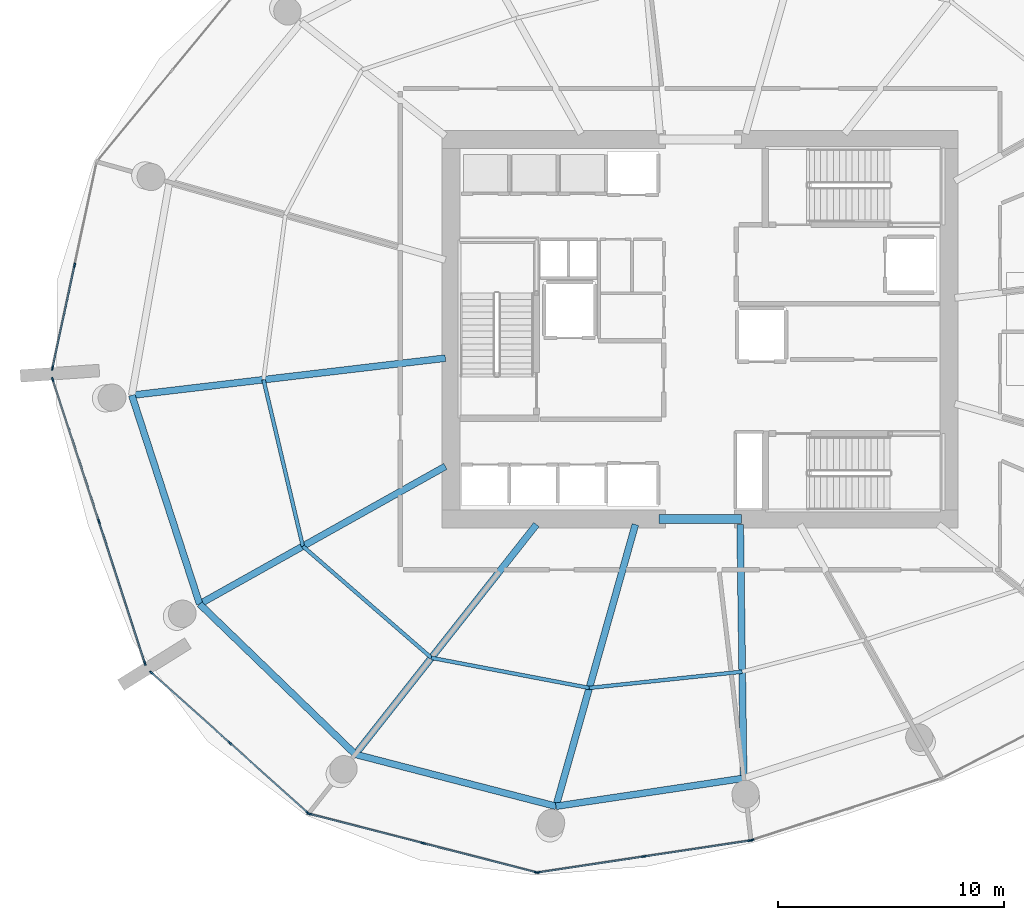
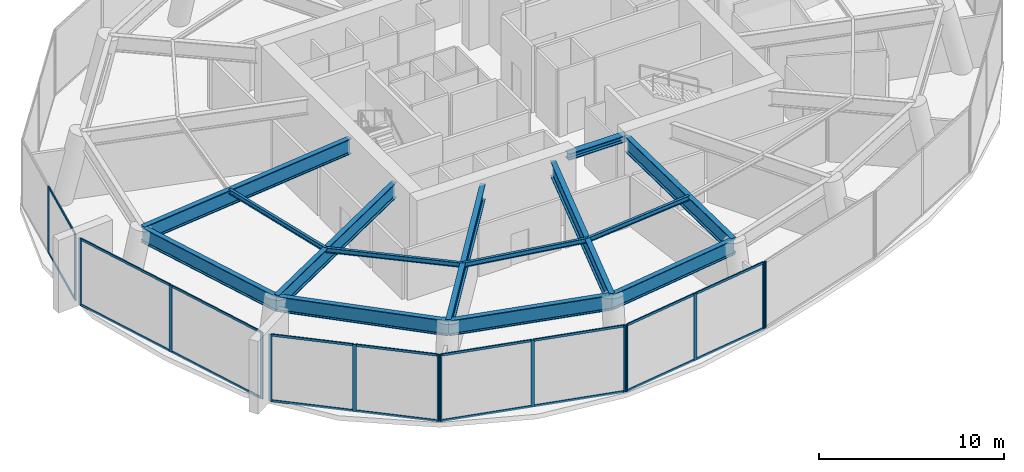
# One storey, part 5 of 16: 33 members, 14 beams, 6 elements without a shape of their own.
"""IFC4 building model written with IfcOpenShell, lengths in metres."""

from ifc_helpers import new_model, si_unit, direction, frame, origin, origin_2d, place, context, subcontext, project, spatial, rectangle, i_section, extrude, material, layer, layer_set, material_profile, profile_set, type_object, element, aggregate, save


model = new_model("IFC4")

# Units and contexts
model_context = context("Model", 3, precision=1e-05, world=origin(), true_north=direction((0.0, 1.0)))
body_context = subcontext(model_context, "Body", "Model", "MODEL_VIEW")
ifc_project = project(units=[si_unit("LENGTHUNIT", "METRE"), si_unit("AREAUNIT", "SQUARE_METRE"), si_unit("VOLUMEUNIT", "CUBIC_METRE"), si_unit("PLANEANGLEUNIT", "RADIAN"), si_unit("MASSUNIT", "GRAM", prefix="KILO")], contexts=[model_context])

# Site, building, storey
site_placement = place(None, origin())
site = spatial("IfcSite", under=ifc_project, at=site_placement, CompositionType="ELEMENT")
building_placement = place(site_placement, origin())
building = spatial("IfcBuilding", under=site, at=building_placement, Name="Kazma Halo Residences", CompositionType="ELEMENT")
storey_placement = place(building_placement, frame((0.0, 0.0, 123.0)))
storey = spatial("IfcBuildingStorey", under=building, at=storey_placement, Name="L30", CompositionType="ELEMENT", Elevation=123.0)

# Beams
ifc_material_1 = material(Name="Steel S355", Category="steel")
ifc_material_profile_1 = material_profile(ifc_material_1, i_section(OverallWidth=0.408935546875, OverallDepth=0.425048828125, WebThickness=0.03271484375, FlangeThickness=0.052490234375, FilletRadius=0.02001953125, at=origin_2d()), Name="W360x421")
ifc_profile_set_1 = profile_set([ifc_material_profile_1], Name="Steel S355")
beam_type_1 = type_object("IfcBeamType", Name="BM-CORE-W360H", PredefinedType="BEAM", material=ifc_profile_set_1)
beam_1_placement = place(storey_placement, frame((46.60009765625, 33.60009765625, 4.1875), z_axis=(1.0, 0.0, 0.0), x_axis=(0.0, 1.0, 0.0)))
element("IfcBeam", 1, at=beam_1_placement, inside=storey, type_object=beam_type_1, Name="L30 core coupling beam S", PredefinedType="BEAM", context=body_context, shape_type="SweptSolid", body=[
    extrude(i_section(OverallWidth=0.408935546875, OverallDepth=0.425048828125, WebThickness=0.03271484375, FlangeThickness=0.052490234375, FilletRadius=0.02001953125, at=origin_2d()), origin(), (0.0, 0.0, 1.0), 3.64990234375),
])
ifc_material_profile_2 = material_profile(ifc_material_1, i_section(OverallWidth=0.1650390625, OverallDepth=0.31005859375, WebThickness=0.005859375, FlangeThickness=0.009765625, FilletRadius=0.011962890625, at=origin_2d()), Name="W310x38.7")
ifc_profile_set_2 = profile_set([ifc_material_profile_2], Name="Steel S355")
beam_type_2 = type_object("IfcBeamType", Name="BM-SEC-W310B", PredefinedType="JOIST", material=ifc_profile_set_2)
beam_2_placement = place(storey_placement, frame((29.09765625, 39.7626953125, 4.2451171875), z_axis=(0.229897820601, -0.973214771817, 0.0), x_axis=(0.973214771817, 0.229897820601, 0.0)))
element("IfcBeam", 2, at=beam_2_placement, inside=storey, type_object=beam_type_2, Name="L30 circumferential floor joist 08", PredefinedType="JOIST", context=body_context, shape_type="SweptSolid", body=[
    extrude(i_section(OverallWidth=0.1650390625, OverallDepth=0.31005859375, WebThickness=0.005859375, FlangeThickness=0.009765625, FilletRadius=0.011962890625, at=origin_2d()), origin(), (0.0, 0.0, 1.0), 7.575927734375),
])
beam_3_placement = place(storey_placement, frame((30.83935546875, 32.3896484375, 4.2451171875), z_axis=(0.755074060983, -0.65563950646, 0.0), x_axis=(0.65563950646, 0.755074060983, 0.0)))
element("IfcBeam", 3, at=beam_3_placement, inside=storey, type_object=beam_type_2, Name="L30 circumferential floor joist 09", PredefinedType="JOIST", context=body_context, shape_type="SweptSolid", body=[
    extrude(i_section(OverallWidth=0.1650390625, OverallDepth=0.31005859375, WebThickness=0.005859375, FlangeThickness=0.009765625, FilletRadius=0.011962890625, at=origin_2d()), origin(), (0.0, 0.0, 1.0), 7.535400390625),
])
beam_4_placement = place(storey_placement, frame((36.529052734375, 27.44921875, 4.2451171875), z_axis=(0.982303720869, -0.187294954461, 0.0), x_axis=(0.187294954461, 0.982303720869, 0.0)))
element("IfcBeam", 4, at=beam_4_placement, inside=storey, type_object=beam_type_2, Name="L30 circumferential floor joist 10", PredefinedType="JOIST", context=body_context, shape_type="SweptSolid", body=[
    extrude(i_section(OverallWidth=0.1650390625, OverallDepth=0.31005859375, WebThickness=0.005859375, FlangeThickness=0.009765625, FilletRadius=0.011962890625, at=origin_2d()), origin(), (0.0, 0.0, 1.0), 7.1171875),
])
beam_5_placement = place(storey_placement, frame((43.520263671875, 26.1162109375, 4.2451171875), z_axis=(0.994394049715, 0.105737760011, 0.0), x_axis=(-0.105737760011, 0.994394049715, 0.0)))
element("IfcBeam", 5, at=beam_5_placement, inside=storey, type_object=beam_type_2, Name="L30 circumferential floor joist 11", PredefinedType="JOIST", context=body_context, shape_type="SweptSolid", body=[
    extrude(i_section(OverallWidth=0.1650390625, OverallDepth=0.31005859375, WebThickness=0.005859375, FlangeThickness=0.009765625, FilletRadius=0.011962890625, at=origin_2d()), origin(), (0.0, 0.0, 1.0), 6.806640625),
])
ifc_material_profile_3 = material_profile(ifc_material_1, i_section(OverallWidth=0.302001953125, OverallDepth=1.01806640625, WebThickness=0.021484375, FlangeThickness=0.049072265625, FilletRadius=0.028076171875, at=origin_2d()), Name="W1000x443")
ifc_profile_set_3 = profile_set([ifc_material_profile_3], Name="Steel S355")
beam_type_3 = type_object("IfcBeamType", Name="BM-TRANS-W1000A", PredefinedType="BEAM", material=ifc_profile_set_3)
beam_6_placement = place(storey_placement, frame((37.14990234375, 40.7158203125, 3.89111328125), z_axis=(-0.993067267044, -0.117547450531, 0.0), x_axis=(0.117547450531, -0.993067267044, 0.0)))
element("IfcBeam", 6, at=beam_6_placement, inside=storey, type_object=beam_type_3, Name="L30 podium radial transfer girder 08", PredefinedType="BEAM", context=body_context, shape_type="SweptSolid", body=[
    extrude(i_section(OverallWidth=0.302001953125, OverallDepth=1.01806640625, WebThickness=0.021484375, FlangeThickness=0.049072265625, FilletRadius=0.028076171875, at=origin_2d()), origin(), (0.0, 0.0, 1.0), 13.97998046875),
])
beam_7_placement = place(storey_placement, frame((37.14990234375, 35.923583984375, 3.89111328125), z_axis=(-0.87250100809, -0.488612311431, 0.0), x_axis=(0.488612311431, -0.87250100809, 0.0)))
element("IfcBeam", 7, at=beam_7_placement, inside=storey, type_object=beam_type_3, Name="L30 podium radial transfer girder 09", PredefinedType="BEAM", context=body_context, shape_type="SweptSolid", body=[
    extrude(i_section(OverallWidth=0.302001953125, OverallDepth=1.01806640625, WebThickness=0.021484375, FlangeThickness=0.049072265625, FilletRadius=0.028076171875, at=origin_2d()), origin(), (0.0, 0.0, 1.0), 12.469970703125),
])
beam_8_placement = place(storey_placement, frame((41.180908203125, 33.35009765625, 3.89111328125), z_axis=(-0.619099110691, -0.785312861948, 0.0), x_axis=(0.785312861948, -0.619099110691, 0.0)))
element("IfcBeam", 8, at=beam_8_placement, inside=storey, type_object=beam_type_3, Name="L30 podium radial transfer girder 10", PredefinedType="BEAM", context=body_context, shape_type="SweptSolid", body=[
    extrude(i_section(OverallWidth=0.302001953125, OverallDepth=1.01806640625, WebThickness=0.021484375, FlangeThickness=0.049072265625, FilletRadius=0.028076171875, at=origin_2d()), origin(), (0.0, 0.0, 1.0), 12.955078125),
])
beam_9_placement = place(storey_placement, frame((45.560302734375, 33.35009765625, 3.89111328125), z_axis=(-0.271432420766, -0.962457500858, 0.0), x_axis=(0.962457500858, -0.271432420766, 0.0)))
element("IfcBeam", 9, at=beam_9_placement, inside=storey, type_object=beam_type_3, Name="L30 podium radial transfer girder 11", PredefinedType="BEAM", context=body_context, shape_type="SweptSolid", body=[
    extrude(i_section(OverallWidth=0.302001953125, OverallDepth=1.01806640625, WebThickness=0.021484375, FlangeThickness=0.049072265625, FilletRadius=0.028076171875, at=origin_2d()), origin(), (0.0, 0.0, 1.0), 12.95849609375),
])
beam_10_placement = place(storey_placement, frame((50.199951171875, 33.35009765625, 3.89111328125), z_axis=(0.013628280132, -0.999907130678, 0.0), x_axis=(0.999907130678, 0.013628280132, 0.0)))
element("IfcBeam", 10, at=beam_10_placement, inside=storey, type_object=beam_type_3, Name="L30 podium radial transfer girder 12", PredefinedType="BEAM", context=body_context, shape_type="SweptSolid", body=[
    extrude(i_section(OverallWidth=0.302001953125, OverallDepth=1.01806640625, WebThickness=0.021484375, FlangeThickness=0.049072265625, FilletRadius=0.028076171875, at=origin_2d()), origin(), (0.0, 0.0, 1.0), 11.232177734375),
])
ifc_material_profile_4 = material_profile(ifc_material_1, i_section(OverallWidth=0.300048828125, OverallDepth=1.0, WebThickness=0.01904296875, FlangeThickness=0.0400390625, FilletRadius=0.02587890625, at=origin_2d()), Name="W1000x371")
ifc_profile_set_4 = profile_set([ifc_material_profile_4], Name="Steel S355")
beam_type_4 = type_object("IfcBeamType", Name="BM-TRANS-W1000B", PredefinedType="BEAM", material=ifc_profile_set_4)
beam_11_placement = place(storey_placement, frame((23.266845703125, 39.072509765625, 3.89990234375), z_axis=(0.309020741629, -0.95105529873, 0.0), x_axis=(0.95105529873, 0.309020741629, 0.0)))
element("IfcBeam", 11, at=beam_11_placement, inside=storey, type_object=beam_type_4, Name="L30 perimeter ring beam 08", PredefinedType="BEAM", context=body_context, shape_type="SweptSolid", body=[
    extrude(i_section(OverallWidth=0.300048828125, OverallDepth=1.0, WebThickness=0.01904296875, FlangeThickness=0.0400390625, FilletRadius=0.02587890625, at=origin_2d()), origin(), (0.0, 0.0, 1.0), 9.717529296875),
])
beam_12_placement = place(storey_placement, frame((26.269775390625, 29.83056640625, 3.89990234375), z_axis=(0.719334705845, -0.694663645923, 0.0), x_axis=(0.694663645923, 0.719334705845, 0.0)))
element("IfcBeam", 12, at=beam_12_placement, inside=storey, type_object=beam_type_4, Name="L30 perimeter ring beam 09", PredefinedType="BEAM", context=body_context, shape_type="SweptSolid", body=[
    extrude(i_section(OverallWidth=0.300048828125, OverallDepth=1.0, WebThickness=0.01904296875, FlangeThickness=0.0400390625, FilletRadius=0.02587890625, at=origin_2d()), origin(), (0.0, 0.0, 1.0), 9.5791015625),
])
beam_13_placement = place(storey_placement, frame((33.160400390625, 23.17626953125, 3.89990234375), z_axis=(0.968123664213, -0.250472694699, 0.0), x_axis=(0.250472694699, 0.968123664213, 0.0)))
element("IfcBeam", 13, at=beam_13_placement, inside=storey, type_object=beam_type_4, Name="L30 perimeter ring beam 10", PredefinedType="BEAM", context=body_context, shape_type="SweptSolid", body=[
    extrude(i_section(OverallWidth=0.300048828125, OverallDepth=1.0, WebThickness=0.01904296875, FlangeThickness=0.0400390625, FilletRadius=0.02587890625, at=origin_2d()), origin(), (0.0, 0.0, 1.0), 9.175048828125),
])
beam_14_placement = place(storey_placement, frame((42.04296875, 20.878173828125, 3.89990234375), z_axis=(0.989037147603, 0.147666924735, 0.0), x_axis=(-0.147666924735, 0.989037147603, 0.0)))
element("IfcBeam", 14, at=beam_14_placement, inside=storey, type_object=beam_type_4, Name="L30 perimeter ring beam 11", PredefinedType="BEAM", context=body_context, shape_type="SweptSolid", body=[
    extrude(i_section(OverallWidth=0.300048828125, OverallDepth=1.0, WebThickness=0.01904296875, FlangeThickness=0.0400390625, FilletRadius=0.02587890625, at=origin_2d()), origin(), (0.0, 0.0, 1.0), 8.402099609375),
])

# Curtain wall, members
ifc_material_2 = material(Name="Aluminium AW-6063 T6 and Triple-Silver Low-E Glass", Category="aluminium")
ifc_layer = layer(ifc_material_2, 0.199951171875)
ifc_layer_set = layer_set([ifc_layer], Name="Aluminium AW-6063 T6 and Triple-Silver Low-E Glass")
curtain_wall_type = type_object("IfcCurtainWallType", Name="CW-SYS-3", PredefinedType="NOTDEFINED", material=ifc_layer_set)
curtain_wall_1_placement = place(storey_placement, origin())
curtain_wall_1 = element("IfcCurtainWall", 15, at=curtain_wall_1_placement, inside=storey, type_object=curtain_wall_type, Name="L30 unitised curtain wall B07", PredefinedType="NOTDEFINED")
ifc_material_3 = material(Name="Aluminium AW-6063 T6", Category="aluminium")
ifc_material_profile_5 = material_profile(ifc_material_3, rectangle(XDim=0.070068359375, YDim=0.199951171875, at=origin_2d()), Name="CWM-70x200")
ifc_profile_set_5 = profile_set([ifc_material_profile_5], Name="Aluminium AW-6063 T6")
member_type_1 = type_object("IfcMemberType", Name="CW-SYS-3-MUL", PredefinedType="MULLION", material=ifc_profile_set_5)
member_1_placement = place(storey_placement, frame((20.7333984375, 44.830078125, 0.0), z_axis=(0.0, 0.0, 1.0), x_axis=(0.977769929816, -0.209680624634, 0.0)))
member_1 = element("IfcMember", 16, at=member_1_placement, type_object=member_type_1, Name="CWS-3 mullion 2", PredefinedType="MULLION", context=body_context, shape_type="SweptSolid", body=[
    extrude(rectangle(XDim=0.070068359375, YDim=0.199951171875, at=origin_2d()), origin(), (0.0, 0.0, 1.0), 4.39990234375),
])
member_2_placement = place(storey_placement, frame((19.758056640625, 40.28173828125, 0.0), z_axis=(0.0, 0.0, 1.0), x_axis=(0.977769929816, -0.209680624634, 0.0)))
member_2 = element("IfcMember", 17, at=member_2_placement, type_object=member_type_1, Name="CWS-3 mullion 3", PredefinedType="MULLION", context=body_context, shape_type="SweptSolid", body=[
    extrude(rectangle(XDim=0.070068359375, YDim=0.199951171875, at=origin_2d()), origin(), (0.0, 0.0, 1.0), 4.39990234375),
])

curtain_wall_2_placement = place(storey_placement, origin())
curtain_wall_2 = element("IfcCurtainWall", 18, at=curtain_wall_2_placement, inside=storey, type_object=curtain_wall_type, Name="L30 unitised curtain wall B08", PredefinedType="NOTDEFINED")
member_3_placement = place(storey_placement, frame((19.768798828125, 39.768798828125, 0.0), z_axis=(0.0, 0.0, 1.0), x_axis=(0.951056155872, 0.309018103641, 0.0)))
member_3 = element("IfcMember", 19, at=member_3_placement, type_object=member_type_1, Name="CWS-3 mullion 1", PredefinedType="MULLION", context=body_context, shape_type="SweptSolid", body=[
    extrude(rectangle(XDim=0.070068359375, YDim=0.199951171875, at=origin_2d()), origin(), (0.0, 0.0, 1.0), 4.39990234375),
])
member_4_placement = place(storey_placement, frame((21.808837890625, 33.489990234375, 0.0), z_axis=(0.0, 0.0, 1.0), x_axis=(0.951056155872, 0.309018103641, 0.0)))
member_4 = element("IfcMember", 20, at=member_4_placement, type_object=member_type_1, Name="CWS-3 mullion 2", PredefinedType="MULLION", context=body_context, shape_type="SweptSolid", body=[
    extrude(rectangle(XDim=0.070068359375, YDim=0.199951171875, at=origin_2d()), origin(), (0.0, 0.0, 1.0), 4.39990234375),
])
member_5_placement = place(storey_placement, frame((23.848876953125, 27.211181640625, 0.0), z_axis=(0.0, 0.0, 1.0), x_axis=(0.951056155872, 0.309018103641, 0.0)))
member_5 = element("IfcMember", 21, at=member_5_placement, type_object=member_type_1, Name="CWS-3 mullion 3", PredefinedType="MULLION", context=body_context, shape_type="SweptSolid", body=[
    extrude(rectangle(XDim=0.070068359375, YDim=0.199951171875, at=origin_2d()), origin(), (0.0, 0.0, 1.0), 4.39990234375),
])

curtain_wall_3_placement = place(storey_placement, origin())
curtain_wall_3 = element("IfcCurtainWall", 22, at=curtain_wall_3_placement, inside=storey, type_object=curtain_wall_type, Name="L30 unitised curtain wall B09", PredefinedType="NOTDEFINED")
member_6_placement = place(storey_placement, frame((24.1416015625, 26.789794921875, 0.0), z_axis=(0.0, 0.0, 1.0), x_axis=(0.667781551283, 0.744357306517, 0.0)))
member_6 = element("IfcMember", 23, at=member_6_placement, type_object=member_type_1, Name="CWS-3 mullion 1", PredefinedType="MULLION", context=body_context, shape_type="SweptSolid", body=[
    extrude(rectangle(XDim=0.070068359375, YDim=0.199951171875, at=origin_2d()), origin(), (0.0, 0.0, 1.0), 4.39990234375),
])
member_7_placement = place(storey_placement, frame((27.604248046875, 23.683349609375, 0.0), z_axis=(0.0, 0.0, 1.0), x_axis=(0.667781551283, 0.744357306517, 0.0)))
member_7 = element("IfcMember", 24, at=member_7_placement, type_object=member_type_1, Name="CWS-3 mullion 2", PredefinedType="MULLION", context=body_context, shape_type="SweptSolid", body=[
    extrude(rectangle(XDim=0.070068359375, YDim=0.199951171875, at=origin_2d()), origin(), (0.0, 0.0, 1.0), 4.39990234375),
])
member_8_placement = place(storey_placement, frame((31.06689453125, 20.576904296875, 0.0), z_axis=(0.0, 0.0, 1.0), x_axis=(0.667781551283, 0.744357306517, 0.0)))
member_8 = element("IfcMember", 25, at=member_8_placement, type_object=member_type_1, Name="CWS-3 mullion 3", PredefinedType="MULLION", context=body_context, shape_type="SweptSolid", body=[
    extrude(rectangle(XDim=0.070068359375, YDim=0.199951171875, at=origin_2d()), origin(), (0.0, 0.0, 1.0), 4.39990234375),
])

curtain_wall_4_placement = place(storey_placement, origin())
curtain_wall_4 = element("IfcCurtainWall", 26, at=curtain_wall_4_placement, inside=storey, type_object=curtain_wall_type, Name="L30 unitised curtain wall B10", PredefinedType="NOTDEFINED")
member_9_placement = place(storey_placement, frame((31.126953125, 20.544921875, 0.0), z_axis=(0.0, 0.0, 1.0), x_axis=(0.249525032584, 0.968368348364, 0.0)))
member_9 = element("IfcMember", 27, at=member_9_placement, type_object=member_type_1, Name="CWS-3 mullion 1", PredefinedType="MULLION", context=body_context, shape_type="SweptSolid", body=[
    extrude(rectangle(XDim=0.070068359375, YDim=0.199951171875, at=origin_2d()), origin(), (0.0, 0.0, 1.0), 4.39990234375),
])
member_10_placement = place(storey_placement, frame((36.154296875, 19.24951171875, 0.0), z_axis=(0.0, 0.0, 1.0), x_axis=(0.249525032584, 0.968368348364, 0.0)))
member_10 = element("IfcMember", 28, at=member_10_placement, type_object=member_type_1, Name="CWS-3 mullion 2", PredefinedType="MULLION", context=body_context, shape_type="SweptSolid", body=[
    extrude(rectangle(XDim=0.070068359375, YDim=0.199951171875, at=origin_2d()), origin(), (0.0, 0.0, 1.0), 4.39990234375),
])
member_11_placement = place(storey_placement, frame((41.181884765625, 17.953857421875, 0.0), z_axis=(0.0, 0.0, 1.0), x_axis=(0.249525032584, 0.968368348364, 0.0)))
member_11 = element("IfcMember", 29, at=member_11_placement, type_object=member_type_1, Name="CWS-3 mullion 3", PredefinedType="MULLION", context=body_context, shape_type="SweptSolid", body=[
    extrude(rectangle(XDim=0.070068359375, YDim=0.199951171875, at=origin_2d()), origin(), (0.0, 0.0, 1.0), 4.39990234375),
])

curtain_wall_5_placement = place(storey_placement, origin())
curtain_wall_5 = element("IfcCurtainWall", 30, at=curtain_wall_5_placement, inside=storey, type_object=curtain_wall_type, Name="L30 unitised curtain wall B11", PredefinedType="NOTDEFINED")
member_12_placement = place(storey_placement, frame((41.25048828125, 17.950439453125, 0.0), z_axis=(0.0, 0.0, 1.0), x_axis=(-0.148767641273, 0.988872180269, 0.0)))
member_12 = element("IfcMember", 31, at=member_12_placement, type_object=member_type_1, Name="CWS-3 mullion 1", PredefinedType="MULLION", context=body_context, shape_type="SweptSolid", body=[
    extrude(rectangle(XDim=0.070068359375, YDim=0.199951171875, at=origin_2d()), origin(), (0.0, 0.0, 1.0), 4.39990234375),
])
member_13_placement = place(storey_placement, frame((45.947265625, 18.656982421875, 0.0), z_axis=(0.0, 0.0, 1.0), x_axis=(-0.148767641273, 0.988872180269, 0.0)))
member_13 = element("IfcMember", 32, at=member_13_placement, type_object=member_type_1, Name="CWS-3 mullion 2", PredefinedType="MULLION", context=body_context, shape_type="SweptSolid", body=[
    extrude(rectangle(XDim=0.070068359375, YDim=0.199951171875, at=origin_2d()), origin(), (0.0, 0.0, 1.0), 4.39990234375),
])
member_14_placement = place(storey_placement, frame((50.64404296875, 19.363525390625, 0.0), z_axis=(0.0, 0.0, 1.0), x_axis=(-0.148767641273, 0.988872180269, 0.0)))
member_14 = element("IfcMember", 33, at=member_14_placement, type_object=member_type_1, Name="CWS-3 mullion 3", PredefinedType="MULLION", context=body_context, shape_type="SweptSolid", body=[
    extrude(rectangle(XDim=0.070068359375, YDim=0.199951171875, at=origin_2d()), origin(), (0.0, 0.0, 1.0), 4.39990234375),
])

# Curtain wall, member
curtain_wall_6_placement = place(storey_placement, origin())
curtain_wall_6 = element("IfcCurtainWall", 34, at=curtain_wall_6_placement, inside=storey, type_object=curtain_wall_type, Name="L30 unitised curtain wall B12", PredefinedType="NOTDEFINED")
member_15_placement = place(storey_placement, frame((50.7119140625, 19.379638671875, 0.0), z_axis=(0.0, 0.0, 1.0), x_axis=(-0.309022243742, 0.951054810656, 0.0)))
member_15 = element("IfcMember", 35, at=member_15_placement, type_object=member_type_1, Name="CWS-3 mullion 1", PredefinedType="MULLION", context=body_context, shape_type="SweptSolid", body=[
    extrude(rectangle(XDim=0.070068359375, YDim=0.199951171875, at=origin_2d()), origin(), (0.0, 0.0, 1.0), 4.39990234375),
])
aggregate(curtain_wall_6, [member_15])

# Member
ifc_material_profile_6 = material_profile(ifc_material_3, rectangle(XDim=0.070068359375, YDim=0.14990234375, at=origin_2d()), Name="CWT-70x150")
ifc_profile_set_6 = profile_set([ifc_material_profile_6], Name="Aluminium AW-6063 T6")
member_type_2 = type_object("IfcMemberType", Name="CW-SYS-3-TRN", PredefinedType="USERDEFINED", material=ifc_profile_set_6)
member_16_placement = place(storey_placement, frame((20.72607421875, 44.7958984375, 0.034912109375), z_axis=(-0.209674644163, -0.977771212296, 0.0), x_axis=(0.977771212296, -0.209674644163, 0.0)))
member_16 = element("IfcMember", 36, at=member_16_placement, type_object=member_type_2, Name="CWS-3 transom 2.1", ObjectType="TRANSOM", PredefinedType="USERDEFINED", context=body_context, shape_type="SweptSolid", body=[
    extrude(rectangle(XDim=0.070068359375, YDim=0.14990234375, at=origin_2d()), origin(), (0.0, 0.0, 1.0), 4.581787109375),
])

member_17_placement = place(storey_placement, frame((20.72607421875, 44.7958984375, 4.364990234375), z_axis=(-0.209674644163, -0.977771212296, 0.0), x_axis=(0.977771212296, -0.209674644163, 0.0)))
member_17 = element("IfcMember", 37, at=member_17_placement, type_object=member_type_2, Name="CWS-3 transom 2.2", ObjectType="TRANSOM", PredefinedType="USERDEFINED", context=body_context, shape_type="SweptSolid", body=[
    extrude(rectangle(XDim=0.070068359375, YDim=0.14990234375, at=origin_2d()), origin(), (0.0, 0.0, 1.0), 4.581787109375),
])

aggregate(curtain_wall_1, [member_1, member_2, member_16, member_17])

member_18_placement = place(storey_placement, frame((19.779541015625, 39.735595703125, 0.034912109375), z_axis=(0.309020152218, -0.951055490244, 0.0), x_axis=(0.951055490244, 0.309020152218, 0.0)))
member_18 = element("IfcMember", 38, at=member_18_placement, type_object=member_type_2, Name="CWS-3 transom 1.1", ObjectType="TRANSOM", PredefinedType="USERDEFINED", context=body_context, shape_type="SweptSolid", body=[
    extrude(rectangle(XDim=0.070068359375, YDim=0.14990234375, at=origin_2d()), origin(), (0.0, 0.0, 1.0), 6.5322265625),
])

member_19_placement = place(storey_placement, frame((19.779541015625, 39.735595703125, 4.364990234375), z_axis=(0.309020152218, -0.951055490244, 0.0), x_axis=(0.951055490244, 0.309020152218, 0.0)))
member_19 = element("IfcMember", 39, at=member_19_placement, type_object=member_type_2, Name="CWS-3 transom 1.2", ObjectType="TRANSOM", PredefinedType="USERDEFINED", context=body_context, shape_type="SweptSolid", body=[
    extrude(rectangle(XDim=0.070068359375, YDim=0.14990234375, at=origin_2d()), origin(), (0.0, 0.0, 1.0), 6.5322265625),
])

member_20_placement = place(storey_placement, frame((21.819580078125, 33.45654296875, 0.034912109375), z_axis=(0.309031137055, -0.951051920944, 0.0), x_axis=(0.951051920944, 0.309031137055, 0.0)))
member_20 = element("IfcMember", 40, at=member_20_placement, type_object=member_type_2, Name="CWS-3 transom 2.1", ObjectType="TRANSOM", PredefinedType="USERDEFINED", context=body_context, shape_type="SweptSolid", body=[
    extrude(rectangle(XDim=0.070068359375, YDim=0.14990234375, at=origin_2d()), origin(), (0.0, 0.0, 1.0), 6.531982421875),
])

member_21_placement = place(storey_placement, frame((21.819580078125, 33.45654296875, 4.364990234375), z_axis=(0.309031137055, -0.951051920944, 0.0), x_axis=(0.951051920944, 0.309031137055, 0.0)))
member_21 = element("IfcMember", 41, at=member_21_placement, type_object=member_type_2, Name="CWS-3 transom 2.2", ObjectType="TRANSOM", PredefinedType="USERDEFINED", context=body_context, shape_type="SweptSolid", body=[
    extrude(rectangle(XDim=0.070068359375, YDim=0.14990234375, at=origin_2d()), origin(), (0.0, 0.0, 1.0), 6.531982421875),
])

aggregate(curtain_wall_2, [member_3, member_4, member_5, member_18, member_19, member_20, member_21])

member_22_placement = place(storey_placement, frame((24.167724609375, 26.766357421875, 0.034912109375), z_axis=(0.744379456225, -0.667756860803, 0.0), x_axis=(0.667756860803, 0.744379456225, 0.0)))
member_22 = element("IfcMember", 42, at=member_22_placement, type_object=member_type_2, Name="CWS-3 transom 1.1", ObjectType="TRANSOM", PredefinedType="USERDEFINED", context=body_context, shape_type="SweptSolid", body=[
    extrude(rectangle(XDim=0.070068359375, YDim=0.14990234375, at=origin_2d()), origin(), (0.0, 0.0, 1.0), 4.581787109375),
])

member_23_placement = place(storey_placement, frame((24.167724609375, 26.766357421875, 4.364990234375), z_axis=(0.744379456225, -0.667756860803, 0.0), x_axis=(0.667756860803, 0.744379456225, 0.0)))
member_23 = element("IfcMember", 43, at=member_23_placement, type_object=member_type_2, Name="CWS-3 transom 1.2", ObjectType="TRANSOM", PredefinedType="USERDEFINED", context=body_context, shape_type="SweptSolid", body=[
    extrude(rectangle(XDim=0.070068359375, YDim=0.14990234375, at=origin_2d()), origin(), (0.0, 0.0, 1.0), 4.581787109375),
])

member_24_placement = place(storey_placement, frame((27.63037109375, 23.659912109375, 0.034912109375), z_axis=(0.744379456225, -0.667756860803, 0.0), x_axis=(0.667756860803, 0.744379456225, 0.0)))
member_24 = element("IfcMember", 44, at=member_24_placement, type_object=member_type_2, Name="CWS-3 transom 2.1", ObjectType="TRANSOM", PredefinedType="USERDEFINED", context=body_context, shape_type="SweptSolid", body=[
    extrude(rectangle(XDim=0.070068359375, YDim=0.14990234375, at=origin_2d()), origin(), (0.0, 0.0, 1.0), 4.581787109375),
])

member_25_placement = place(storey_placement, frame((27.63037109375, 23.659912109375, 4.364990234375), z_axis=(0.744379456225, -0.667756860803, 0.0), x_axis=(0.667756860803, 0.744379456225, 0.0)))
member_25 = element("IfcMember", 45, at=member_25_placement, type_object=member_type_2, Name="CWS-3 transom 2.2", ObjectType="TRANSOM", PredefinedType="USERDEFINED", context=body_context, shape_type="SweptSolid", body=[
    extrude(rectangle(XDim=0.070068359375, YDim=0.14990234375, at=origin_2d()), origin(), (0.0, 0.0, 1.0), 4.581787109375),
])

aggregate(curtain_wall_3, [member_6, member_7, member_8, member_22, member_23, member_24, member_25])

member_26_placement = place(storey_placement, frame((31.160888671875, 20.5361328125, 0.034912109375), z_axis=(0.96836469356, -0.249539215889, 0.0), x_axis=(0.249539215889, 0.96836469356, 0.0)))
member_26 = element("IfcMember", 46, at=member_26_placement, type_object=member_type_2, Name="CWS-3 transom 1.1", ObjectType="TRANSOM", PredefinedType="USERDEFINED", context=body_context, shape_type="SweptSolid", body=[
    extrude(rectangle(XDim=0.070068359375, YDim=0.14990234375, at=origin_2d()), origin(), (0.0, 0.0, 1.0), 5.121826171875),
])

member_27_placement = place(storey_placement, frame((31.160888671875, 20.5361328125, 4.364990234375), z_axis=(0.96836469356, -0.249539215889, 0.0), x_axis=(0.249539215889, 0.96836469356, 0.0)))
member_27 = element("IfcMember", 47, at=member_27_placement, type_object=member_type_2, Name="CWS-3 transom 1.2", ObjectType="TRANSOM", PredefinedType="USERDEFINED", context=body_context, shape_type="SweptSolid", body=[
    extrude(rectangle(XDim=0.070068359375, YDim=0.14990234375, at=origin_2d()), origin(), (0.0, 0.0, 1.0), 5.121826171875),
])

member_28_placement = place(storey_placement, frame((36.188232421875, 19.24072265625, 0.034912109375), z_axis=(0.96836469356, -0.249539215889, 0.0), x_axis=(0.249539215889, 0.96836469356, 0.0)))
member_28 = element("IfcMember", 48, at=member_28_placement, type_object=member_type_2, Name="CWS-3 transom 2.1", ObjectType="TRANSOM", PredefinedType="USERDEFINED", context=body_context, shape_type="SweptSolid", body=[
    extrude(rectangle(XDim=0.070068359375, YDim=0.14990234375, at=origin_2d()), origin(), (0.0, 0.0, 1.0), 5.121826171875),
])

member_29_placement = place(storey_placement, frame((36.188232421875, 19.24072265625, 4.364990234375), z_axis=(0.96836469356, -0.249539215889, 0.0), x_axis=(0.249539215889, 0.96836469356, 0.0)))
member_29 = element("IfcMember", 49, at=member_29_placement, type_object=member_type_2, Name="CWS-3 transom 2.2", ObjectType="TRANSOM", PredefinedType="USERDEFINED", context=body_context, shape_type="SweptSolid", body=[
    extrude(rectangle(XDim=0.070068359375, YDim=0.14990234375, at=origin_2d()), origin(), (0.0, 0.0, 1.0), 5.121826171875),
])

aggregate(curtain_wall_4, [member_9, member_10, member_11, member_26, member_27, member_28, member_29])

member_30_placement = place(storey_placement, frame((41.284912109375, 17.95556640625, 0.034912109375), z_axis=(0.988869286604, 0.14878687446, 0.0), x_axis=(-0.14878687446, 0.988869286604, 0.0)))
member_30 = element("IfcMember", 50, at=member_30_placement, type_object=member_type_2, Name="CWS-3 transom 1.1", ObjectType="TRANSOM", PredefinedType="USERDEFINED", context=body_context, shape_type="SweptSolid", body=[
    extrude(rectangle(XDim=0.070068359375, YDim=0.14990234375, at=origin_2d()), origin(), (0.0, 0.0, 1.0), 4.6796875),
])

member_31_placement = place(storey_placement, frame((41.284912109375, 17.95556640625, 4.364990234375), z_axis=(0.988869286604, 0.14878687446, 0.0), x_axis=(-0.14878687446, 0.988869286604, 0.0)))
member_31 = element("IfcMember", 51, at=member_31_placement, type_object=member_type_2, Name="CWS-3 transom 1.2", ObjectType="TRANSOM", PredefinedType="USERDEFINED", context=body_context, shape_type="SweptSolid", body=[
    extrude(rectangle(XDim=0.070068359375, YDim=0.14990234375, at=origin_2d()), origin(), (0.0, 0.0, 1.0), 4.6796875),
])

member_32_placement = place(storey_placement, frame((45.981689453125, 18.662109375, 0.034912109375), z_axis=(0.988869286604, 0.14878687446, 0.0), x_axis=(-0.14878687446, 0.988869286604, 0.0)))
member_32 = element("IfcMember", 52, at=member_32_placement, type_object=member_type_2, Name="CWS-3 transom 2.1", ObjectType="TRANSOM", PredefinedType="USERDEFINED", context=body_context, shape_type="SweptSolid", body=[
    extrude(rectangle(XDim=0.070068359375, YDim=0.14990234375, at=origin_2d()), origin(), (0.0, 0.0, 1.0), 4.6796875),
])

member_33_placement = place(storey_placement, frame((45.981689453125, 18.662109375, 4.364990234375), z_axis=(0.988869286604, 0.14878687446, 0.0), x_axis=(-0.14878687446, 0.988869286604, 0.0)))
member_33 = element("IfcMember", 53, at=member_33_placement, type_object=member_type_2, Name="CWS-3 transom 2.2", ObjectType="TRANSOM", PredefinedType="USERDEFINED", context=body_context, shape_type="SweptSolid", body=[
    extrude(rectangle(XDim=0.070068359375, YDim=0.14990234375, at=origin_2d()), origin(), (0.0, 0.0, 1.0), 4.6796875),
])

aggregate(curtain_wall_5, [member_12, member_13, member_14, member_30, member_31, member_32, member_33])

save(model, "model.ifc")
